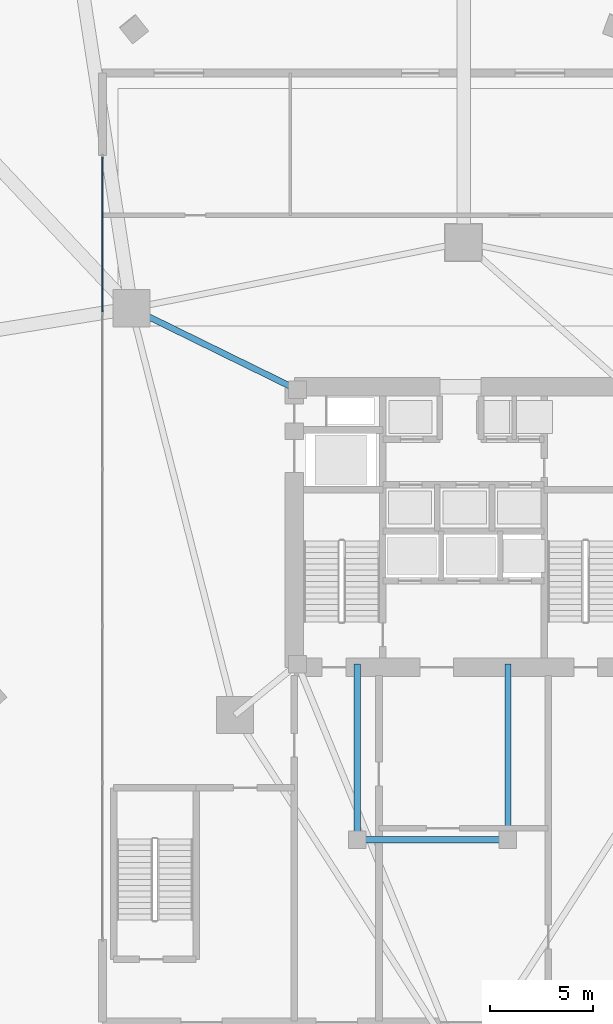
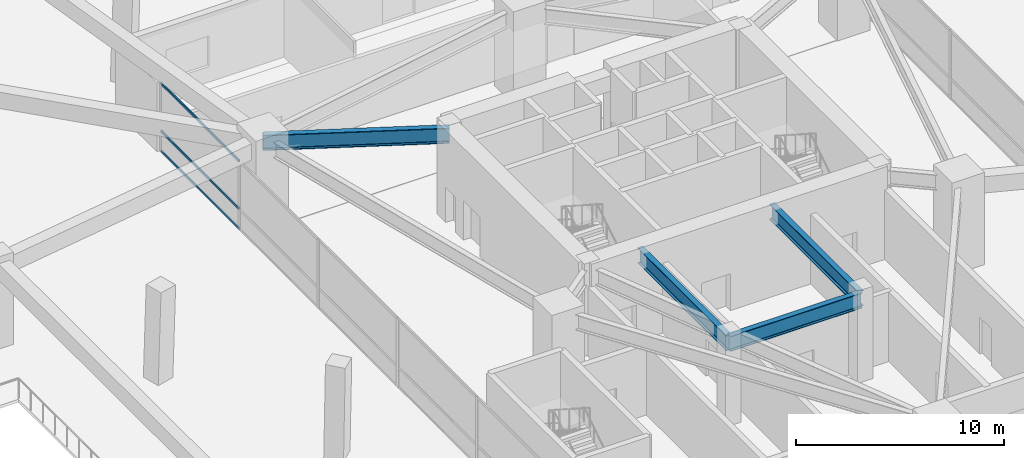
# One storey, part 6 of 19: 4 beams, 3 members, 1 element without a shape of its own.
"""IFC4 building model written with IfcOpenShell, lengths in metres."""

from ifc_helpers import new_model, si_unit, direction, frame, origin, origin_2d, place, context, subcontext, project, spatial, rectangle, i_section, extrude, material, layer, layer_set, material_profile, profile_set, type_object, element, aggregate, save


model = new_model("IFC4")

# Units and contexts
model_context = context("Model", 3, precision=1e-05, world=origin(), true_north=direction((0.0, 1.0)))
body_context = subcontext(model_context, "Body", "Model", "MODEL_VIEW")
ifc_project = project(units=[si_unit("LENGTHUNIT", "METRE"), si_unit("AREAUNIT", "SQUARE_METRE"), si_unit("VOLUMEUNIT", "CUBIC_METRE"), si_unit("PLANEANGLEUNIT", "RADIAN"), si_unit("MASSUNIT", "GRAM", prefix="KILO")], contexts=[model_context])

# Site, building, storey
site_placement = place(None, origin())
site = spatial("IfcSite", under=ifc_project, at=site_placement, CompositionType="ELEMENT")
building_placement = place(site_placement, origin())
building = spatial("IfcBuilding", under=site, at=building_placement, Name="Talyreon Biosciences Tower", CompositionType="ELEMENT")
storey_placement = place(building_placement, origin())
storey = spatial("IfcBuildingStorey", under=building, at=storey_placement, Name="L00", CompositionType="ELEMENT", Elevation=0.0)

# Curtain wall, members
ifc_material_1 = material(Name="Thermally broken aluminium and low-E glazing", Category="aluminium")
ifc_layer = layer(ifc_material_1, 0.219970703125)
ifc_layer_set = layer_set([ifc_layer], Name="Thermally broken aluminium and low-E glazing")
curtain_wall_type = type_object("IfcCurtainWallType", Name="CurtainWall_PodiumDoubleHeight", PredefinedType="NOTDEFINED", material=ifc_layer_set)
curtain_wall_placement = place(storey_placement, origin())
curtain_wall = element("IfcCurtainWall", 1, at=curtain_wall_placement, inside=storey, type_object=curtain_wall_type, Name="L00 Unitised Curtain Wall FCW-L00-W", PredefinedType="NOTDEFINED")
ifc_material_2 = material(Name="Anodised thermally broken aluminium", Category="aluminium")
ifc_material_profile_1 = material_profile(ifc_material_2, rectangle(XDim=0.06494140625, YDim=0.139892578125, at=origin_2d()), Name="ALUM TRANSOM 65x140")
ifc_profile_set_1 = profile_set([ifc_material_profile_1], Name="Anodised thermally broken aluminium")
member_type = type_object("IfcMemberType", Name="CWTransom_65x140", PredefinedType="USERDEFINED", material=ifc_profile_set_1)
member_1_placement = place(storey_placement, frame((48.5, 78.4375, 0.032470703125), z_axis=(0.0, 1.0, 0.0), x_axis=(-1.0, 0.0, 0.0)))
member_1 = element("IfcMember", 2, at=member_1_placement, type_object=member_type, Name="CW1 transom 5.1", ObjectType="TRANSOM", PredefinedType="USERDEFINED", context=body_context, shape_type="SweptSolid", body=[
    extrude(rectangle(XDim=0.06494140625, YDim=0.139892578125, at=origin_2d()), origin(), (0.0, 0.0, 1.0), 7.487548828125),
])
member_2_placement = place(storey_placement, frame((48.5, 78.4375, 1.199951171875), z_axis=(0.0, 1.0, 0.0), x_axis=(-1.0, 0.0, 0.0)))
member_2 = element("IfcMember", 3, at=member_2_placement, type_object=member_type, Name="CW1 transom 5.2", ObjectType="TRANSOM", PredefinedType="USERDEFINED", context=body_context, shape_type="SweptSolid", body=[
    extrude(rectangle(XDim=0.06494140625, YDim=0.139892578125, at=origin_2d()), origin(), (0.0, 0.0, 1.0), 7.487548828125),
])
member_3_placement = place(storey_placement, frame((48.5, 78.4375, 3.99755859375), z_axis=(0.0, 1.0, 0.0), x_axis=(-1.0, 0.0, 0.0)))
member_3 = element("IfcMember", 4, at=member_3_placement, type_object=member_type, Name="CW1 transom 5.3", ObjectType="TRANSOM", PredefinedType="USERDEFINED", context=body_context, shape_type="SweptSolid", body=[
    extrude(rectangle(XDim=0.06494140625, YDim=0.139892578125, at=origin_2d()), origin(), (0.0, 0.0, 1.0), 7.487548828125),
])
aggregate(curtain_wall, [member_1, member_2, member_3])

# Beams
ifc_material_3 = material(Name="Steel SM420", Category="steel")
ifc_material_profile_2 = material_profile(ifc_material_3, i_section(OverallWidth=0.300048828125, OverallDepth=0.89990234375, WebThickness=0.0185546875, FlangeThickness=0.034912109375, FilletRadius=0.030029296875, at=origin_2d()), Name="HE900B")
ifc_profile_set_2 = profile_set([ifc_material_profile_2], Name="Steel SM420")
beam_type = type_object("IfcBeamType", Name="SteelGirder_HE900B", PredefinedType="BEAM", material=ifc_profile_set_2)
beam_1_placement = place(storey_placement, frame((57.949951171875, 74.64990234375, 4.550048828125), z_axis=(-0.897852360314, 0.440296648952, 0.0), x_axis=(-0.440296648952, -0.897852360314, 0.0)))
element("IfcBeam", 5, at=beam_1_placement, inside=storey, type_object=beam_type, Name="L00 Radial Primary Girder 5", PredefinedType="BEAM", context=body_context, shape_type="SweptSolid", body=[
    extrude(i_section(OverallWidth=0.300048828125, OverallDepth=0.89990234375, WebThickness=0.0185546875, FlangeThickness=0.034912109375, FilletRadius=0.030029296875, at=origin_2d()), origin(), (0.0, 0.0, 1.0), 8.96826171875),
])
beam_2_placement = place(storey_placement, frame((60.85009765625, 52.840087890625, 4.550048828125), z_axis=(1.0, 0.0, 0.0), x_axis=(0.0, 1.0, 0.0)))
element("IfcBeam", 6, at=beam_2_placement, inside=storey, type_object=beam_type, Name="L00 Crown Shaft Spine Girder S", PredefinedType="BEAM", context=body_context, shape_type="SweptSolid", body=[
    extrude(i_section(OverallWidth=0.300048828125, OverallDepth=0.89990234375, WebThickness=0.0185546875, FlangeThickness=0.034912109375, FilletRadius=0.030029296875, at=origin_2d()), origin(), (0.0, 0.0, 1.0), 7.2998046875),
])
for number, where, z_axis, x_axis, name in (
    (7, (60.85009765625, 52.840087890625, 4.550048828125), (0.0, 1.0, 0.0), (-1.0, 0.0, 0.0), "L00 Crown Shaft Tie Girder W"),
    (8, (68.14990234375, 52.840087890625, 4.550048828125), (0.0, 1.0, 0.0), (-1.0, 0.0, 0.0), "L00 Crown Shaft Tie Girder E"),
):
    element("IfcBeam", number, at=place(storey_placement, frame(where, z_axis=z_axis, x_axis=x_axis)), inside=storey, type_object=beam_type, Name=name, PredefinedType="BEAM", context=body_context, shape_type="SweptSolid", body=[
        extrude(i_section(OverallWidth=0.300048828125, OverallDepth=0.89990234375, WebThickness=0.0185546875, FlangeThickness=0.034912109375, FilletRadius=0.030029296875, at=origin_2d()), origin(), (0.0, 0.0, 1.0), 8.510009765625),
    ])

save(model, "model.ifc")
